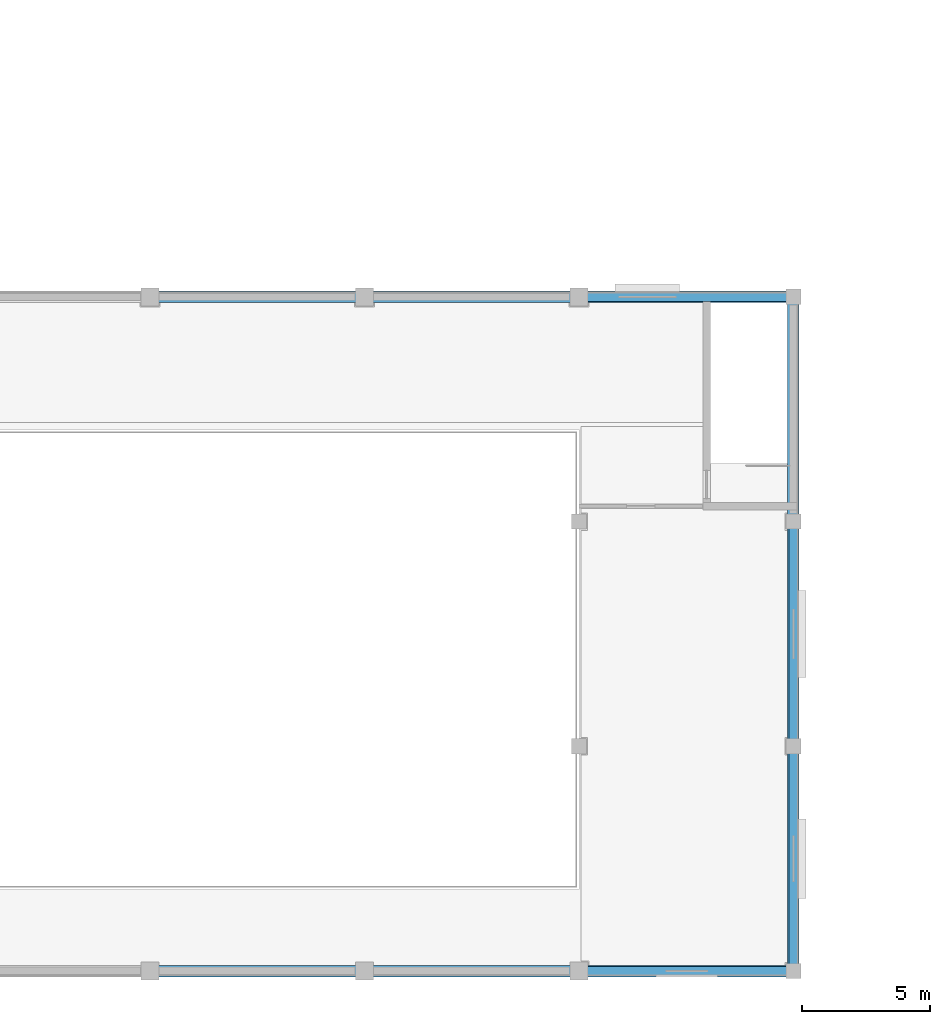
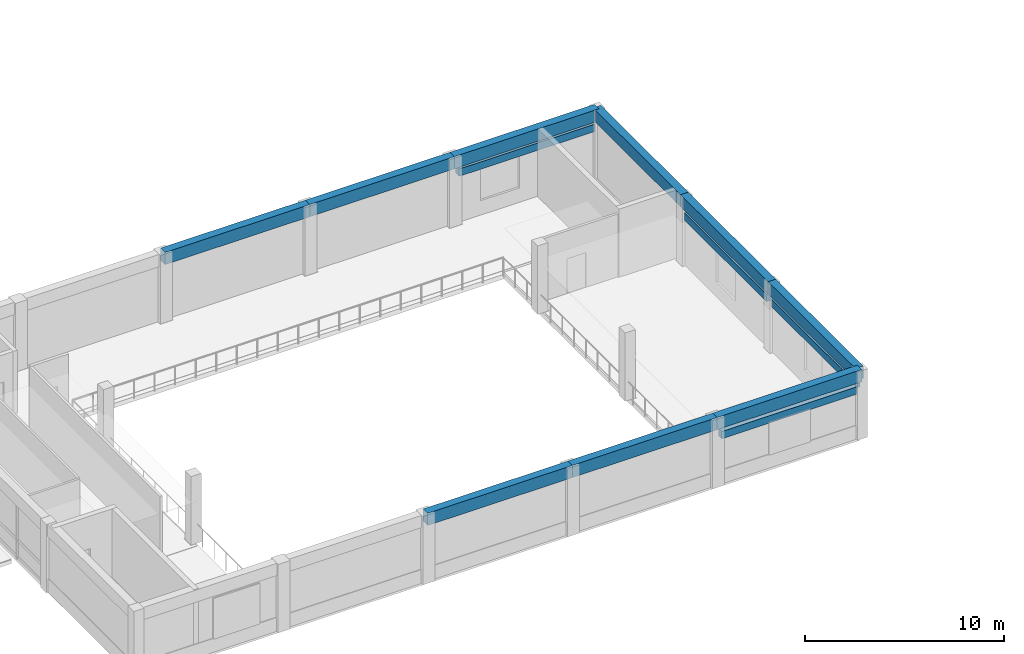
# One storey, part 10 of 46: 13 beams.
"""IFC4 building model written with IfcOpenShell, lengths in metres."""

from ifc_helpers import new_model, si_unit, direction, frame, origin, origin_2d, place, context, subcontext, project, spatial, rectangle, extrude, material, material_profile, profile_set, type_object, element, save


model = new_model("IFC4")

# Units and contexts
model_context = context("Model", 3, precision=1e-05, world=origin(), true_north=direction((0.0, 1.0)))
body_context = subcontext(model_context, "Body", "Model", "MODEL_VIEW")
ifc_project = project(units=[si_unit("LENGTHUNIT", "METRE"), si_unit("AREAUNIT", "SQUARE_METRE"), si_unit("VOLUMEUNIT", "CUBIC_METRE"), si_unit("PLANEANGLEUNIT", "RADIAN"), si_unit("MASSUNIT", "GRAM", prefix="KILO")], contexts=[model_context])

# Site, building, storey
site_placement = place(None, origin())
site = spatial("IfcSite", under=ifc_project, at=site_placement, CompositionType="ELEMENT")
building_placement = place(site_placement, origin())
building = spatial("IfcBuilding", under=site, at=building_placement, Name="Kemercrest Conservatory and Botanical Centre", CompositionType="ELEMENT")
storey_placement = place(building_placement, frame((0.0, 0.0, 9.0)))
storey = spatial("IfcBuildingStorey", under=building, at=storey_placement, Name="L02", CompositionType="ELEMENT", Elevation=9.0)

# Beams
ifc_material_1 = material(Name="Precast concrete C40/50", Category="concrete")
ifc_material_profile_1 = material_profile(ifc_material_1, rectangle(XDim=0.35009765625, YDim=0.449951171875, at=origin_2d()), Name="RC 350x450")
ifc_profile_set_1 = profile_set([ifc_material_profile_1], Name="Precast concrete C40/50")
beam_type_1 = type_object("IfcBeamType", Name="LN-RC47", PredefinedType="LINTEL", material=ifc_profile_set_1)
beam_1_placement = place(storey_placement, frame((92.300048828125, 16.800048828125, 2.97509765625), z_axis=(1.0, 0.0, 0.0), x_axis=(0.0, 1.0, 0.0)))
element("IfcBeam", 1, at=beam_1_placement, inside=storey, type_object=beam_type_1, Name="Precast arched window lintel (WIN:L02:EXT-057)", PredefinedType="LINTEL", context=body_context, shape_type="SweptSolid", body=[
    extrude(rectangle(XDim=0.35009765625, YDim=0.449951171875, at=origin_2d()), origin(), (0.0, 0.0, 1.0), 7.849853515625),
])
beam_2_placement = place(storey_placement, frame((100.39990234375, 17.050048828125, 3.02490234375), z_axis=(0.0, 1.0, 0.0), x_axis=(-1.0, 0.0, 0.0)))
element("IfcBeam", 2, at=beam_2_placement, inside=storey, type_object=beam_type_1, Name="Precast arched window lintel (WIN:L02:EXT-058)", PredefinedType="LINTEL", context=body_context, shape_type="SweptSolid", body=[
    extrude(rectangle(XDim=0.35009765625, YDim=0.449951171875, at=origin_2d()), origin(), (0.0, 0.0, 1.0), 8.300048828125),
])
beam_3_placement = place(storey_placement, frame((100.39990234375, 25.85009765625, 3.02490234375), z_axis=(0.0, 1.0, 0.0), x_axis=(-1.0, 0.0, 0.0)))
element("IfcBeam", 3, at=beam_3_placement, inside=storey, type_object=beam_type_1, Name="Precast arched window lintel (WIN:L02:EXT-059)", PredefinedType="LINTEL", context=body_context, shape_type="SweptSolid", body=[
    extrude(rectangle(XDim=0.35009765625, YDim=0.449951171875, at=origin_2d()), origin(), (0.0, 0.0, 1.0), 8.2998046875),
])
beam_4_placement = place(storey_placement, frame((100.14990234375, 43.199951171875, 3.074951171875), z_axis=(-1.0, 0.0, 0.0), x_axis=(0.0, -1.0, 0.0)))
element("IfcBeam", 4, at=beam_4_placement, inside=storey, type_object=beam_type_1, Name="Precast arched window lintel (WIN:L02:EXT-061)", PredefinedType="LINTEL", context=body_context, shape_type="SweptSolid", body=[
    extrude(rectangle(XDim=0.35009765625, YDim=0.449951171875, at=origin_2d()), origin(), (0.0, 0.0, 1.0), 7.849853515625),
])
ifc_material_2 = material(Name="Concrete C40/50", Category="concrete")
ifc_material_profile_2 = material_profile(ifc_material_2, rectangle(XDim=0.449951171875, YDim=0.75, at=origin_2d()), Name="RC 450x750")
ifc_profile_set_2 = profile_set([ifc_material_profile_2], Name="Concrete C40/50")
beam_type_2 = type_object("IfcBeamType", Name="SP-RC75", PredefinedType="SPANDREL", material=ifc_profile_set_2)
beam_5_placement = place(storey_placement, frame((75.199951171875, 16.800048828125, 3.824951171875), z_axis=(1.0, 0.0, 0.0), x_axis=(0.0, 1.0, 0.0)))
element("IfcBeam", 5, at=beam_5_placement, inside=storey, type_object=beam_type_2, Name="Auditorium roof ring spandrel beam", PredefinedType="SPANDREL", context=body_context, shape_type="SweptSolid", body=[
    extrude(rectangle(XDim=0.449951171875, YDim=0.75, at=origin_2d()), origin(), (0.0, 0.0, 1.0), 8.400146484375),
])
for number, where, z_axis, x_axis, name in (
    (6, (83.60009765625, 16.800048828125, 3.824951171875), (1.0, 0.0, 0.0), (0.0, 1.0, 0.0), "Auditorium roof ring spandrel beam"),
    (7, (92.0, 16.800048828125, 3.824951171875), (1.0, 0.0, 0.0), (0.0, 1.0, 0.0), "Auditorium roof ring spandrel beam"),
):
    element("IfcBeam", number, at=place(storey_placement, frame(where, z_axis=z_axis, x_axis=x_axis)), inside=storey, type_object=beam_type_2, Name=name, PredefinedType="SPANDREL", context=body_context, shape_type="SweptSolid", body=[
        extrude(rectangle(XDim=0.449951171875, YDim=0.75, at=origin_2d()), origin(), (0.0, 0.0, 1.0), 8.39990234375),
    ])
beam_6_placement = place(storey_placement, frame((75.199951171875, 43.199951171875, 3.824951171875), z_axis=(1.0, 0.0, 0.0), x_axis=(0.0, 1.0, 0.0)))
element("IfcBeam", 8, at=beam_6_placement, inside=storey, type_object=beam_type_2, Name="Auditorium roof ring spandrel beam", PredefinedType="SPANDREL", context=body_context, shape_type="SweptSolid", body=[
    extrude(rectangle(XDim=0.449951171875, YDim=0.75, at=origin_2d()), origin(), (0.0, 0.0, 1.0), 8.400146484375),
])
for number, where, z_axis, x_axis, name in (
    (9, (83.60009765625, 43.199951171875, 3.824951171875), (1.0, 0.0, 0.0), (0.0, 1.0, 0.0), "Auditorium roof ring spandrel beam"),
    (10, (92.0, 43.199951171875, 3.824951171875), (1.0, 0.0, 0.0), (0.0, 1.0, 0.0), "Auditorium roof ring spandrel beam"),
):
    element("IfcBeam", number, at=place(storey_placement, frame(where, z_axis=z_axis, x_axis=x_axis)), inside=storey, type_object=beam_type_2, Name=name, PredefinedType="SPANDREL", context=body_context, shape_type="SweptSolid", body=[
        extrude(rectangle(XDim=0.449951171875, YDim=0.75, at=origin_2d()), origin(), (0.0, 0.0, 1.0), 8.39990234375),
    ])
beam_7_placement = place(storey_placement, frame((100.39990234375, 16.800048828125, 3.824951171875), z_axis=(0.0, 1.0, 0.0), x_axis=(-1.0, 0.0, 0.0)))
element("IfcBeam", 11, at=beam_7_placement, inside=storey, type_object=beam_type_2, Name="Auditorium gable ring spandrel beam", PredefinedType="SPANDREL", context=body_context, shape_type="SweptSolid", body=[
    extrude(rectangle(XDim=0.449951171875, YDim=0.75, at=origin_2d()), origin(), (0.0, 0.0, 1.0), 8.800048828125),
])
beam_8_placement = place(storey_placement, frame((100.39990234375, 25.60009765625, 3.824951171875), z_axis=(0.0, 1.0, 0.0), x_axis=(-1.0, 0.0, 0.0)))
element("IfcBeam", 12, at=beam_8_placement, inside=storey, type_object=beam_type_2, Name="Auditorium gable ring spandrel beam", PredefinedType="SPANDREL", context=body_context, shape_type="SweptSolid", body=[
    extrude(rectangle(XDim=0.449951171875, YDim=0.75, at=origin_2d()), origin(), (0.0, 0.0, 1.0), 8.7998046875),
])
beam_9_placement = place(storey_placement, frame((100.39990234375, 34.39990234375, 3.824951171875), z_axis=(0.0, 1.0, 0.0), x_axis=(-1.0, 0.0, 0.0)))
element("IfcBeam", 13, at=beam_9_placement, inside=storey, type_object=beam_type_2, Name="Auditorium gable ring spandrel beam", PredefinedType="SPANDREL", context=body_context, shape_type="SweptSolid", body=[
    extrude(rectangle(XDim=0.449951171875, YDim=0.75, at=origin_2d()), origin(), (0.0, 0.0, 1.0), 8.800048828125),
])

save(model, "model.ifc")
